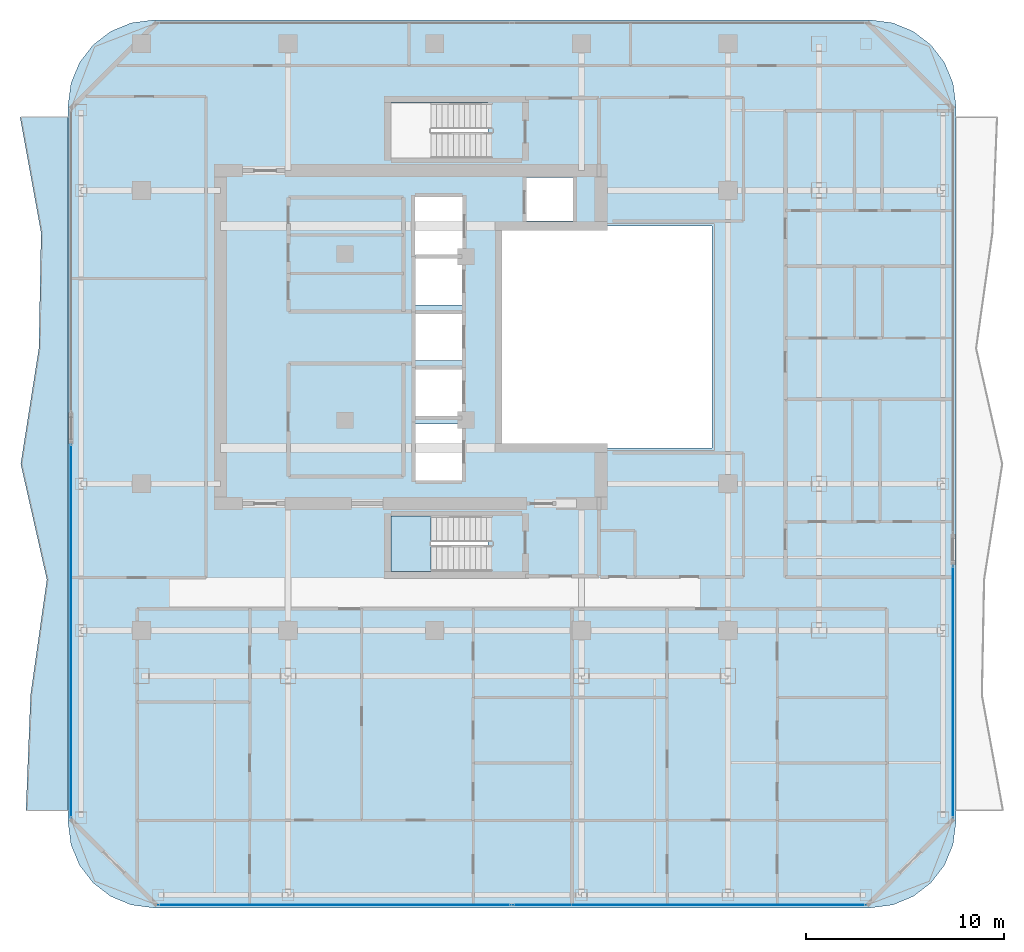
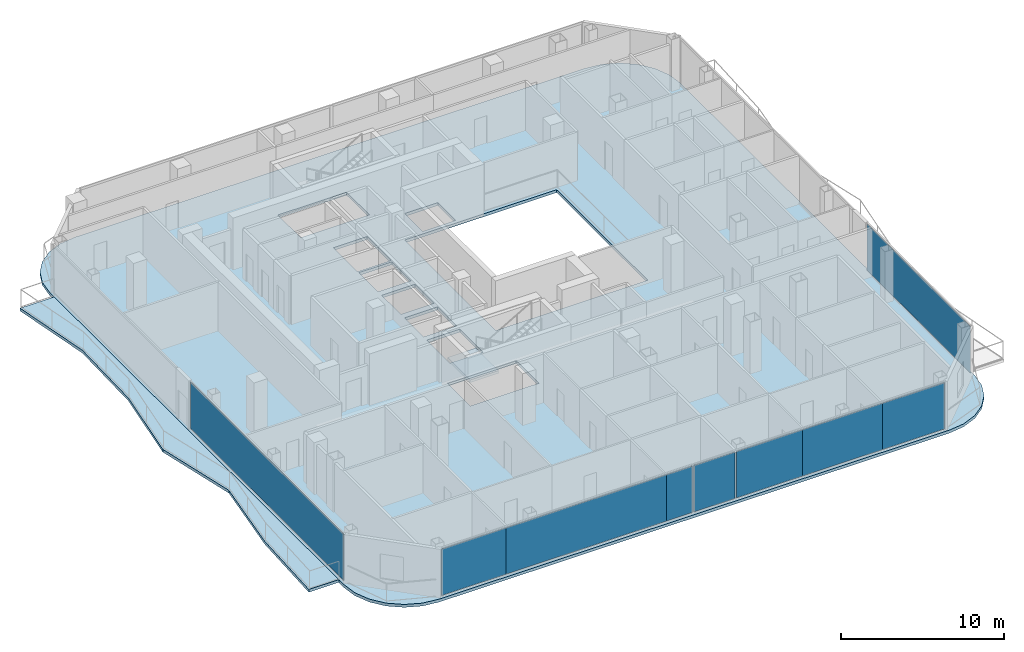
# One storey, part 18 of 27: 9 plates, 3 slabs, 4 elements without a shape of their own.
"""IFC4 building model written with IfcOpenShell, lengths in metres."""

import ifcopenshell
import ifcopenshell.guid

model = None  # the IFC model being written
_history = None  # IfcOwnerHistory: only IFC2X3 demands one
_inside = {}  # id of a spatial element -> (the spatial element, [elements in it])
_under = {}  # id of a project, library or spatial element -> (it, [spatial elements below it])
_declared = {}  # id of a project -> (the project, [libraries it declares])
_typed = {}  # id of a type object -> (the type object, [elements of that type])
_made_of = {}  # id of a material, layer set ... -> (it, [elements and type objects made of it])


def new_model(schema):
    """Start an empty IFC model of exactly this schema.

    Asked for "IFC4X3", IfcOpenShell would pick the latest addendum, in which some entities
    have other attributes; the version numbers below select the first issue.
    IFC2X3 requires an IfcOwnerHistory on every rooted entity: one is made here for all.
    """
    global model, _history
    if schema == "IFC4X3":
        model = ifcopenshell.file(schema_version=(4, 3, 0, 0))
    else:
        model = ifcopenshell.file(schema=schema)
    _inside.clear()
    _under.clear()
    _declared.clear()
    _typed.clear()
    _made_of.clear()
    _history = None
    if model.schema == "IFC2X3":
        org = make("IfcOrganization", Name="unknown")
        user = make(
            "IfcPersonAndOrganization",
            ThePerson=make("IfcPerson", FamilyName="unknown"),
            TheOrganization=org,
        )
        app = make(
            "IfcApplication",
            ApplicationDeveloper=org,
            Version="unknown",
            ApplicationFullName="unknown",
            ApplicationIdentifier="unknown",
        )
        _history = make(
            "IfcOwnerHistory",
            OwningUser=user,
            OwningApplication=app,
            ChangeAction="ADDED",
            CreationDate=0,
        )
    return model


def make(cls, **values):
    """One entity of the class cls with the attributes given. An attribute that is None is left unset."""
    return model.create_entity(
        cls, **{name: value for name, value in values.items() if value is not None}
    )


def rooted(cls, **values):
    """An entity with a GlobalId (a new one), such as an element, a storey or a relation."""
    return make(cls, GlobalId=ifcopenshell.guid.new(), OwnerHistory=_history, **values)


def si_unit(unit_type, name, prefix=None):
    """IfcSIUnit, for example si_unit("LENGTHUNIT", "METRE", prefix="MILLI")."""
    return make("IfcSIUnit", UnitType=unit_type, Prefix=prefix, Name=name)


def assignment(units):
    """IfcUnitAssignment: the units of a project."""
    return None if units is None else make("IfcUnitAssignment", Units=units)


def point(xyz):
    """IfcCartesianPoint."""
    return None if xyz is None else make("IfcCartesianPoint", Coordinates=xyz)


def direction(xyz):
    """IfcDirection."""
    return None if xyz is None else make("IfcDirection", DirectionRatios=xyz)


def frame(location, z_axis=None, x_axis=None):
    """IfcAxis2Placement3D, a coordinate frame: its origin and axes. An axis left out is left unset."""
    return make(
        "IfcAxis2Placement3D",
        Location=point(location),
        Axis=direction(z_axis),
        RefDirection=direction(x_axis),
    )


def frame_2d(location, x_axis=None):
    """IfcAxis2Placement2D, a coordinate frame in the plane: its origin and x axis."""
    return make(
        "IfcAxis2Placement2D", Location=point(location), RefDirection=direction(x_axis)
    )


def origin():
    """The frame at (0, 0, 0) with its axes left unset."""
    return frame((0.0, 0.0, 0.0))


def origin_2d():
    """The frame at (0, 0) in the plane with its x axis left unset."""
    return frame_2d((0.0, 0.0))


def place(relative_to, where):
    """IfcLocalPlacement: puts the frame where relative to a parent placement (None: the world)."""
    return make(
        "IfcLocalPlacement", PlacementRelTo=relative_to, RelativePlacement=where
    )


def context(
    kind, dimensions, precision=None, world=None, true_north=None, identifier=None
):
    """IfcGeometricRepresentationContext, for example the 3D "Model" context."""
    return make(
        "IfcGeometricRepresentationContext",
        ContextIdentifier=identifier,
        ContextType=kind,
        CoordinateSpaceDimension=dimensions,
        Precision=precision,
        WorldCoordinateSystem=world,
        TrueNorth=true_north,
    )


def subcontext(parent, identifier, kind, view, scale=None):
    """IfcGeometricRepresentationSubContext, for example "Body" below "Model"."""
    return make(
        "IfcGeometricRepresentationSubContext",
        ContextIdentifier=identifier,
        ContextType=kind,
        ParentContext=parent,
        TargetScale=scale,
        TargetView=view,
    )


def project(units=None, contexts=None):
    """IfcProject with its units and contexts."""
    return rooted(
        "IfcProject",
        Name="project",
        RepresentationContexts=contexts,
        UnitsInContext=assignment(units),
    )


def spatial(cls, under=None, at=None, **own):
    """A site, building, storey or space (cls), placed at a placement, below another one or the project."""
    s = rooted(cls, ObjectPlacement=at, **own)
    if under is not None:
        _under.setdefault(under.id(), (under, []))[1].append(s)
    return s


def polyline(points):
    """IfcPolyline through the points."""
    return make("IfcPolyline", Points=[point(p) for p in points])


def profile(cls, at=None, kind="AREA", **sizes):
    """A parametric profile (cls). Its sizes go by their IFC names, for example OverallWidth=200.0."""
    return make(cls, ProfileType=kind, Position=at, **sizes)


def rectangle(**sizes):
    """IfcRectangleProfileDef."""
    return profile("IfcRectangleProfileDef", **sizes)


def outline(outer, holes=None, kind="AREA"):
    """IfcArbitraryClosedProfileDef: a profile drawn as a closed curve; with holes, ...WithVoids."""
    if holes is None:
        return make("IfcArbitraryClosedProfileDef", ProfileType=kind, OuterCurve=outer)
    return make(
        "IfcArbitraryProfileDefWithVoids",
        ProfileType=kind,
        OuterCurve=outer,
        InnerCurves=holes,
    )


def extrude(swept, where, along, depth):
    """IfcExtrudedAreaSolid: the profile swept, set in the frame where, extruded along a direction by depth."""
    return make(
        "IfcExtrudedAreaSolid",
        SweptArea=swept,
        Position=where,
        ExtrudedDirection=direction(along),
        Depth=depth,
    )


def shape(context_of_items, identifier, shape_type, items):
    """IfcShapeRepresentation: the items that make up one representation, for example the "Body"."""
    return make(
        "IfcShapeRepresentation",
        ContextOfItems=context_of_items,
        RepresentationIdentifier=identifier,
        RepresentationType=shape_type,
        Items=items,
    )


def material(Name=None, Category=None):
    """IfcMaterial."""
    return make("IfcMaterial", Name=Name, Category=Category)


def layer(
    of_material, thickness, ventilated=None, Name=None, Category=None, Priority=None
):
    """IfcMaterialLayer: one layer of a wall or slab, of a material (None: an air gap)."""
    return make(
        "IfcMaterialLayer",
        Material=of_material,
        LayerThickness=thickness,
        IsVentilated=ventilated,
        Name=Name,
        Category=Category,
        Priority=Priority,
    )


def layer_set(layers, Name=None):
    """IfcMaterialLayerSet."""
    return make("IfcMaterialLayerSet", MaterialLayers=layers, LayerSetName=Name)


def made_of(thing, what):
    """Note that an element or type object is made of a material, layer set ...; save() writes the relation."""
    if what is not None:
        _made_of.setdefault(what.id(), (what, []))[1].append(thing)
    return thing


def type_object(cls, material=None, **own):
    """A type object (cls), such as IfcWallType, which elements share."""
    return made_of(rooted(cls, **own), material)


def element(
    cls,
    number,
    at=None,
    inside=None,
    cuts=None,
    type_object=None,
    material=None,
    context=None,
    identifier="Body",
    shape_type=None,
    held_by="IfcProductDefinitionShape",
    body=None,
    shapes=None,
    **own,
):
    """One element of the class cls, such as IfcWall. Its Tag is "e" and its number.

    at: its placement. inside: the storey or other place that contains it. cuts: it is an
    opening in that element (IfcRelVoidsElement). A single representation is given by context,
    identifier, shape_type and body (its items); several are given by shapes. held_by: the class
    of the entity that holds the representations. save() writes the other relations.
    """
    e = rooted(cls, Tag="e%d" % number, ObjectPlacement=at, **own)
    if body is not None:
        shapes = [shape(context, identifier, shape_type, body)]
    if shapes is not None:
        e.Representation = make(held_by, Representations=shapes)
    if inside is not None:
        _inside.setdefault(inside.id(), (inside, []))[1].append(e)
    if cuts is not None:
        rooted(
            "IfcRelVoidsElement", RelatingBuildingElement=cuts, RelatedOpeningElement=e
        )
    if type_object is not None:
        _typed.setdefault(type_object.id(), (type_object, []))[1].append(e)
    return made_of(e, material)


def aggregate(whole, parts):
    """IfcRelAggregates: a whole, such as a stair, and the parts it consists of."""
    return rooted("IfcRelAggregates", RelatingObject=whole, RelatedObjects=parts)


def save(model, path):
    """Write the relations noted so far, then the file.

    IfcRelAggregates (storeys below a building ...), IfcRelContainedInSpatialStructure (elements
    in a storey), IfcRelDefinesByType, IfcRelAssociatesMaterial and IfcRelDeclares: one each for
    every whole, place, type object, material and project.
    """
    for whole, parts in _under.values():
        aggregate(whole, parts)
    for where, things in _inside.values():
        rooted(
            "IfcRelContainedInSpatialStructure",
            RelatedElements=things,
            RelatingStructure=where,
        )
    for kind, things in _typed.values():
        rooted("IfcRelDefinesByType", RelatedObjects=things, RelatingType=kind)
    for what, things in _made_of.values():
        rooted("IfcRelAssociatesMaterial", RelatedObjects=things, RelatingMaterial=what)
    for by, libraries in _declared.values():
        rooted("IfcRelDeclares", RelatingContext=by, RelatedDefinitions=libraries)
    model.write(path)


model = new_model("IFC4")

# Units and contexts
model_context = context("Model", 3, precision=1e-05, world=origin(), true_north=direction((0.0, 1.0)))
body_context = subcontext(model_context, "Body", "Model", "MODEL_VIEW")
ifc_project = project(units=[si_unit("LENGTHUNIT", "METRE"), si_unit("AREAUNIT", "SQUARE_METRE"), si_unit("VOLUMEUNIT", "CUBIC_METRE"), si_unit("PLANEANGLEUNIT", "RADIAN"), si_unit("MASSUNIT", "GRAM", prefix="KILO")], contexts=[model_context])

# Site, building, storey
site_placement = place(None, origin())
site = spatial("IfcSite", under=ifc_project, at=site_placement, CompositionType="ELEMENT")
building_placement = place(site_placement, origin())
building = spatial("IfcBuilding", under=site, at=building_placement, Name="Khorvyn Point Tower", CompositionType="ELEMENT")
storey_placement = place(building_placement, frame((0.0, 0.0, 246.89990234375)))
storey = spatial("IfcBuildingStorey", under=building, at=storey_placement, Name="L60", CompositionType="ELEMENT", Elevation=246.89990234375)

# Slabs
ifc_material_1 = material(Name="Concrete C35/45", Category="concrete")
ifc_layer_1 = layer(ifc_material_1, 0.219970703125)
ifc_layer_set_1 = layer_set([ifc_layer_1], Name="Concrete C35/45 Structural Floor Slab 220")
slab_type_1 = type_object("IfcSlabType", Name="Concrete C35/45 Structural Floor Slab 220", PredefinedType="FLOOR", material=ifc_layer_set_1)
slab_1_placement = place(storey_placement, frame((0.0, 0.0, -0.219970703125)))
element("IfcSlab", 1, at=slab_1_placement, inside=storey, type_object=slab_type_1, Name="L60 Main Structural Floor Slab", PredefinedType="FLOOR", context=body_context, shape_type="SweptSolid", body=[
    extrude(outline(polyline([(-14.199951171875, -28.800048828125), (-15.31298828125, -28.653564453125), (-16.35009765625, -28.223876953125), (-17.240478515625, -27.54052734375), (-17.923828125, -26.64990234375), (-18.353515625, -25.61279296875), (-18.5, -24.5), (-18.5, 11.699951171875), (-18.353515625, 12.81298828125), (-17.923828125, 13.85009765625), (-17.240478515625, 14.740478515625), (-16.35009765625, 15.423828125), (-15.31298828125, 15.853515625), (-14.199951171875, 16.0), (22.0, 16.0), (23.11279296875, 15.853515625), (24.14990234375, 15.423828125), (25.04052734375, 14.740478515625), (25.723876953125, 13.85009765625), (26.153564453125, 12.81298828125), (26.300048828125, 11.699951171875), (26.300048828125, -24.5), (26.153564453125, -25.61279296875), (25.723876953125, -26.64990234375), (25.04052734375, -27.54052734375), (24.14990234375, -28.223876953125), (23.11279296875, -28.653564453125), (22.0, -28.800048828125), (-14.199951171875, -28.800048828125)]), holes=[polyline([(2.679931640625, -11.820068359375), (2.679931640625, -9.02001953125), (-2.199951171875, -9.02001953125), (-2.199951171875, -11.820068359375), (2.679931640625, -11.820068359375)]), polyline([(1.375, -7.22509765625), (1.375, -4.375), (-0.97509765625, -4.375), (-0.97509765625, -7.22509765625), (1.375, -7.22509765625)]), polyline([(1.375, -3.97509765625), (1.375, -1.625), (-0.97509765625, -1.625), (-0.97509765625, -3.97509765625), (1.375, -3.97509765625)]), polyline([(1.375, -1.175048828125), (1.375, 1.175048828125), (-0.97509765625, 1.175048828125), (-0.97509765625, -1.175048828125), (1.375, -1.175048828125)]), polyline([(14.0, -5.60009765625), (14.0, 5.60009765625), (3.199951171875, 5.60009765625), (3.199951171875, -5.60009765625), (14.0, -5.60009765625)]), polyline([(1.375, 1.625), (1.375, 3.97509765625), (-0.97509765625, 3.97509765625), (-0.97509765625, 1.625), (1.375, 1.625)]), polyline([(1.39990234375, 4.125), (1.39990234375, 7.074951171875), (-1.0, 7.074951171875), (-1.0, 4.125), (1.39990234375, 4.125)]), polyline([(4.625, 5.85009765625), (6.97509765625, 5.85009765625), (6.97509765625, 8.054931640625), (4.625, 8.054931640625), (4.625, 5.85009765625)]), polyline([(-2.199951171875, 9.02001953125), (2.679931640625, 9.02001953125), (2.679931640625, 11.820068359375), (-2.199951171875, 11.820068359375), (-2.199951171875, 9.02001953125)])]), origin(), (0.0, 0.0, 1.0), 0.219970703125),
])
ifc_material_2 = material(Name="Concrete C40/50", Category="concrete")
ifc_layer_2 = layer(ifc_material_2, 0.2099609375)
ifc_layer_set_2 = layer_set([ifc_layer_2], Name="Concrete C40/50 Rippling Balcony Slab 210")
slab_type_2 = type_object("IfcSlabType", Name="Concrete C40/50 Rippling Balcony Slab 210", PredefinedType="USERDEFINED", material=ifc_layer_set_2)
slab_2_placement = place(storey_placement, frame((0.0, 0.0, -0.2099609375)))
element("IfcSlab", 2, at=slab_2_placement, inside=storey, type_object=slab_type_2, Name="L60 West Sinusoidal Rippling Balcony", ObjectType="BALCONY", PredefinedType="USERDEFINED", context=body_context, shape_type="SweptSolid", body=[
    extrude(outline(polyline([(-18.5, 11.10009765625), (-20.9267578125, 11.10009765625), (-19.86328125, 5.2666015625), (-19.9755859375, -0.566650390625), (-20.890869140625, -6.39990234375), (-19.571533203125, -12.2333984375), (-20.39599609375, -18.066650390625), (-20.628173828125, -23.89990234375), (-18.5, -23.89990234375), (-18.5, 11.10009765625)])), origin(), (0.0, 0.0, 1.0), 0.2099609375),
])

# Stair, slab
stair_type = type_object("IfcStairType", Name="Tower Concrete C40/50 Dogleg Exit Stair", PredefinedType="HALF_TURN_STAIR", material=ifc_material_2)
stair_placement = place(storey_placement, origin())
stair = element("IfcStair", 3, at=stair_placement, inside=storey, type_object=stair_type, Name="L60 Tower Smokeproof Exit Stair South", PredefinedType="HALF_TURN_STAIR")
ifc_layer_3 = layer(ifc_material_2, 0.199951171875)
ifc_layer_set_3 = layer_set([ifc_layer_3], Name="Concrete C40/50 Stair Landing Slab 200")
slab_type_3 = type_object("IfcSlabType", Name="Concrete C40/50 Stair Landing Slab 200", PredefinedType="LANDING", material=ifc_layer_set_3)
slab_3_placement = place(storey_placement, frame((0.0, 0.0, 1.75)))
slab_3 = element("IfcSlab", 4, at=slab_3_placement, type_object=slab_type_3, Name="ST-01 landing 1", PredefinedType="LANDING", context=body_context, shape_type="SweptSolid", body=[
    extrude(outline(polyline([(-0.179931640625, -9.02001953125), (-2.199951171875, -9.02001953125), (-2.199951171875, -11.820068359375), (-0.179931640625, -11.820068359375), (-0.179931640625, -9.02001953125)])), origin(), (0.0, 0.0, 1.0), 0.2001953125),
])
aggregate(stair, [slab_3])

# Curtain wall, plates
ifc_material_3 = material(Name="Anodised aluminium 6063-T6 and laminated Low-E glass", Category="aluminium")
ifc_layer_4 = layer(ifc_material_3, 0.18994140625)
ifc_layer_set_4 = layer_set([ifc_layer_4], Name="Stick-Built Acoustic Curtain Wall CW-SYS-03")
curtain_wall_type = type_object("IfcCurtainWallType", Name="Stick-Built Acoustic Curtain Wall CW-SYS-03", PredefinedType="NOTDEFINED", material=ifc_layer_set_4)
curtain_wall_1_placement = place(storey_placement, origin())
curtain_wall_1 = element("IfcCurtainWall", 5, at=curtain_wall_1_placement, inside=storey, type_object=curtain_wall_type, Name="Curtain Wall", PredefinedType="NOTDEFINED")
ifc_material_4 = material(Name="Laminated Low-E insulated glass", Category="glass")
ifc_layer_5 = layer(ifc_material_4, 0.028076171875)
ifc_layer_set_5 = layer_set([ifc_layer_5], Name="Tempered Low-E Vision Glazing Panel CW-GL28")
plate_type = type_object("IfcPlateType", Name="Tempered Low-E Vision Glazing Panel CW-GL28", PredefinedType="CURTAIN_PANEL", material=ifc_layer_set_5)
plate_1_placement = place(storey_placement, frame((5.408447265625, -28.64990234375, 0.10009765625), z_axis=(0.0, 0.0, 1.0), x_axis=(-1.0, 0.0, 0.0)))
plate_1 = element("IfcPlate", 6, at=plate_1_placement, type_object=plate_type, Name="Panel", PredefinedType="CURTAIN_PANEL", context=body_context, shape_type="SweptSolid", body=[
    extrude(rectangle(XDim=2.908935546875, YDim=0.028076171875, at=origin_2d()), origin(), (0.0, 0.0, 1.0), 3.47998046875),
])
plate_2_placement = place(storey_placement, frame((9.32861328125, -28.64990234375, 0.10009765625), z_axis=(0.0, 0.0, 1.0), x_axis=(-1.0, 0.0, 0.0)))
plate_2 = element("IfcPlate", 7, at=plate_2_placement, type_object=plate_type, Name="Panel", PredefinedType="CURTAIN_PANEL", context=body_context, shape_type="SweptSolid", body=[
    extrude(rectangle(XDim=4.675048828125, YDim=0.028076171875, at=origin_2d()), origin(), (0.0, 0.0, 1.0), 3.47998046875),
])
plate_3_placement = place(storey_placement, frame((14.511474609375, -28.64990234375, 0.10009765625), z_axis=(0.0, 0.0, 1.0), x_axis=(-1.0, 0.0, 0.0)))
plate_3 = element("IfcPlate", 8, at=plate_3_placement, type_object=plate_type, Name="Panel", PredefinedType="CURTAIN_PANEL", context=body_context, shape_type="SweptSolid", body=[
    extrude(rectangle(XDim=5.675048828125, YDim=0.028076171875, at=origin_2d()), origin(), (0.0, 0.0, 1.0), 3.47998046875),
])
plate_4_placement = place(storey_placement, frame((19.551513671875, -28.64990234375, 0.10009765625), z_axis=(0.0, 0.0, 1.0), x_axis=(-1.0, 0.0, 0.0)))
plate_4 = element("IfcPlate", 9, at=plate_4_placement, type_object=plate_type, Name="Panel", PredefinedType="CURTAIN_PANEL", context=body_context, shape_type="SweptSolid", body=[
    extrude(rectangle(XDim=4.388916015625, YDim=0.028076171875, at=origin_2d()), origin(), (0.0, 0.0, 1.0), 3.47998046875),
])
plate_5_placement = place(storey_placement, frame((-11.6669921875, -28.64990234375, 0.10009765625), z_axis=(0.0, 0.0, 1.0), x_axis=(-1.0, 0.0, 0.0)))
plate_5 = element("IfcPlate", 10, at=plate_5_placement, type_object=plate_type, Name="Panel", PredefinedType="CURTAIN_PANEL", context=body_context, shape_type="SweptSolid", body=[
    extrude(rectangle(XDim=4.55810546875, YDim=0.028076171875, at=origin_2d()), origin(), (0.0, 0.0, 1.0), 3.47998046875),
])
plate_6_placement = place(storey_placement, frame((-3.6904296875, -28.64990234375, 0.10009765625), z_axis=(0.0, 0.0, 1.0), x_axis=(-1.0, 0.0, 0.0)))
plate_6 = element("IfcPlate", 11, at=plate_6_placement, type_object=plate_type, Name="Panel", PredefinedType="CURTAIN_PANEL", context=body_context, shape_type="SweptSolid", body=[
    extrude(rectangle(XDim=11.37890625, YDim=0.028076171875, at=origin_2d()), origin(), (0.0, 0.0, 1.0), 3.47998046875),
])
plate_7_placement = place(storey_placement, frame((2.926513671875, -28.64990234375, 0.10009765625), z_axis=(0.0, 0.0, 1.0), x_axis=(-1.0, 0.0, 0.0)))
plate_7 = element("IfcPlate", 12, at=plate_7_placement, type_object=plate_type, Name="Panel", PredefinedType="CURTAIN_PANEL", context=body_context, shape_type="SweptSolid", body=[
    extrude(rectangle(XDim=1.839111328125, YDim=0.028076171875, at=origin_2d()), origin(), (0.0, 0.0, 1.0), 3.47998046875),
])
aggregate(curtain_wall_1, [plate_1, plate_2, plate_3, plate_4, plate_5, plate_6, plate_7])

# Curtain wall, plate
curtain_wall_2_placement = place(storey_placement, origin())
curtain_wall_2 = element("IfcCurtainWall", 13, at=curtain_wall_2_placement, inside=storey, type_object=curtain_wall_type, Name="Curtain Wall", PredefinedType="NOTDEFINED")
plate_8_placement = place(storey_placement, frame((-18.35009765625, -14.83740234375, 0.10009765625), z_axis=(0.0, 0.0, 1.0), x_axis=(0.0, 1.0, 0.0)))
plate_8 = element("IfcPlate", 14, at=plate_8_placement, type_object=plate_type, Name="Panel", PredefinedType="CURTAIN_PANEL", context=body_context, shape_type="SweptSolid", body=[
    extrude(rectangle(XDim=18.824951171875, YDim=0.028076171875, at=origin_2d()), origin(), (0.0, 0.0, 1.0), 3.47998046875),
])
aggregate(curtain_wall_2, [plate_8])

curtain_wall_3_placement = place(storey_placement, origin())
curtain_wall_3 = element("IfcCurtainWall", 15, at=curtain_wall_3_placement, inside=storey, type_object=curtain_wall_type, Name="Curtain Wall", PredefinedType="NOTDEFINED")
plate_9_placement = place(storey_placement, frame((26.14990234375, -17.89501953125, 0.10009765625), z_axis=(0.0, 0.0, 1.0), x_axis=(0.0, -1.0, 0.0)))
plate_9 = element("IfcPlate", 16, at=plate_9_placement, type_object=plate_type, Name="Panel", PredefinedType="CURTAIN_PANEL", context=body_context, shape_type="SweptSolid", body=[
    extrude(rectangle(XDim=12.7099609375, YDim=0.028076171875, at=origin_2d()), origin(), (0.0, 0.0, 1.0), 3.47998046875),
])
aggregate(curtain_wall_3, [plate_9])

save(model, "model.ifc")
